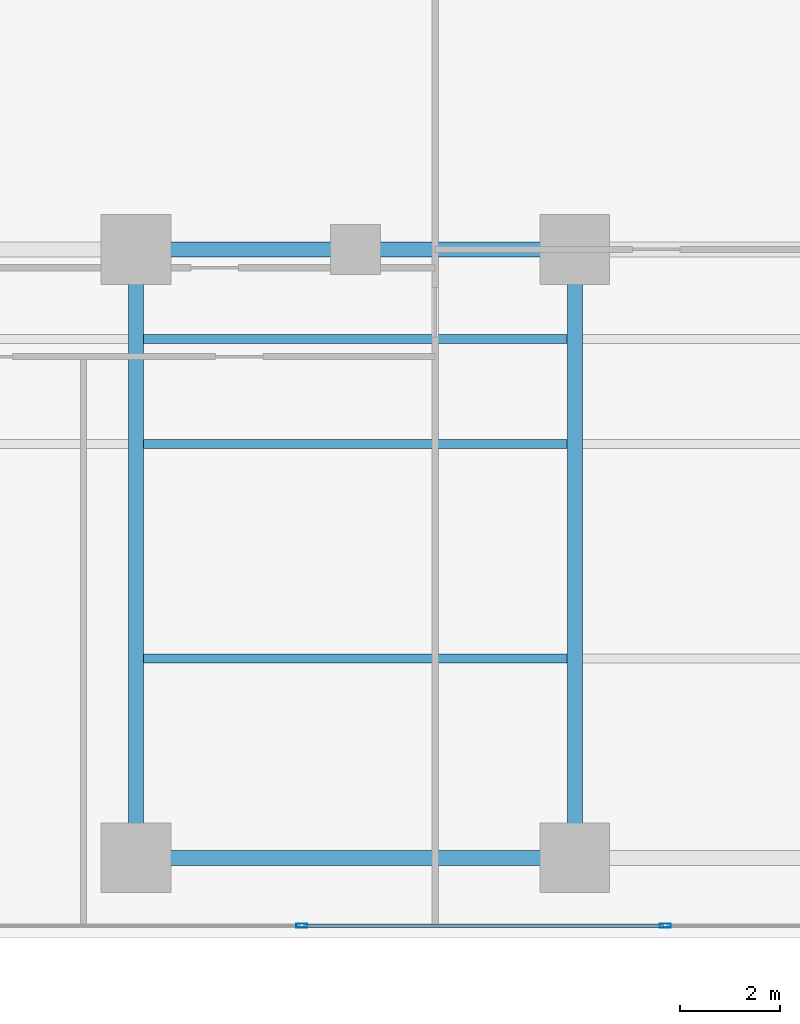
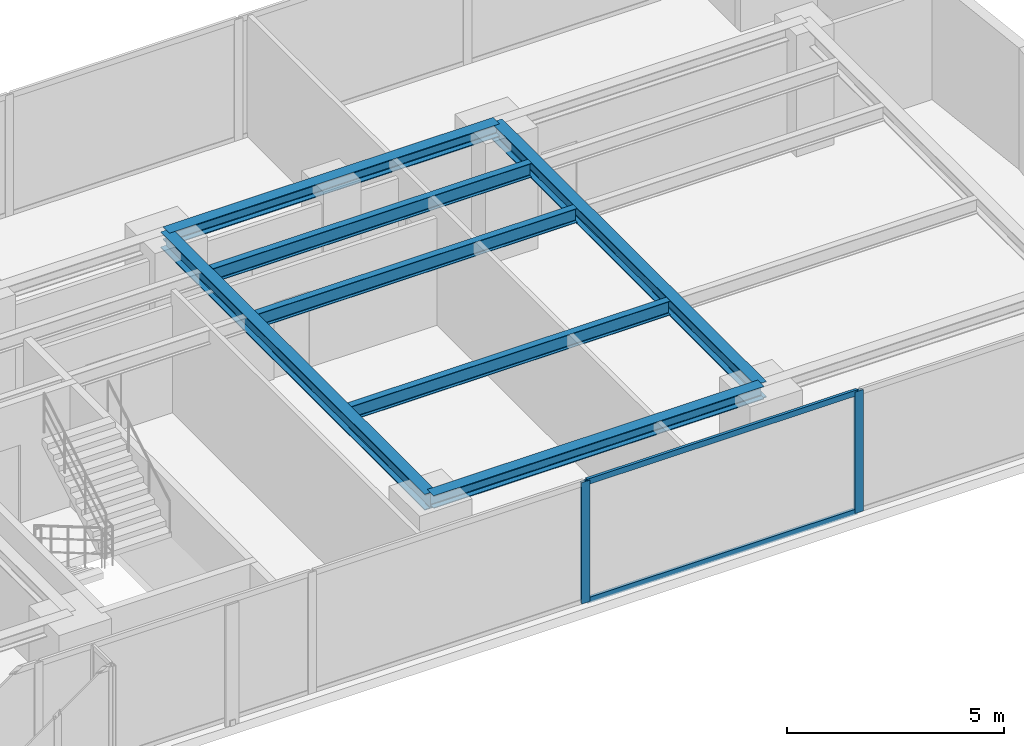
# One storey, part 11 of 25: 7 beams, 4 members, 1 element without a shape of its own.
"""IFC4 building model written with IfcOpenShell, lengths in metres."""

from ifc_helpers import new_model, si_unit, direction, frame, origin, origin_with_axes, origin_2d, place, context, subcontext, project, spatial, hollow_rectangle, i_section, extrude, source, transform, mapped, material, layer, layer_set, material_profile, profile_set, type_object, element, aggregate, save


model = new_model("IFC4")

# Units and contexts
model_context = context("Model", 3, precision=1e-05, world=origin(), true_north=direction((0.0, 1.0)))
body_context = subcontext(model_context, "Body", "Model", "MODEL_VIEW")
ifc_project = project(units=[si_unit("LENGTHUNIT", "METRE"), si_unit("AREAUNIT", "SQUARE_METRE"), si_unit("VOLUMEUNIT", "CUBIC_METRE"), si_unit("PLANEANGLEUNIT", "RADIAN"), si_unit("MASSUNIT", "GRAM", prefix="KILO")], contexts=[model_context])

# Site, building, storey
site_placement = place(None, origin())
site = spatial("IfcSite", under=ifc_project, at=site_placement, CompositionType="ELEMENT")
building_placement = place(site_placement, origin())
building = spatial("IfcBuilding", under=site, at=building_placement, Name="Kolvaren Waterfront Exchange", CompositionType="ELEMENT")
storey_placement = place(building_placement, frame((0.0, 0.0, 137.300048828125)))
storey = spatial("IfcBuildingStorey", under=building, at=storey_placement, Name="L35", CompositionType="ELEMENT", Elevation=137.300048828125)

# Beams
ifc_material_1 = material(Name="Steel S355", Category="steel")
ifc_material_profile_1 = material_profile(ifc_material_1, i_section(OverallWidth=0.300048828125, OverallDepth=0.360107421875, WebThickness=0.012451171875, FlangeThickness=0.0224609375, FilletRadius=0.027099609375, at=origin_2d()), Name="HEB360")
ifc_profile_set_1 = profile_set([ifc_material_profile_1], Name="Steel S355")
beam_type_1 = type_object("IfcBeamType", Name="STR-BM-HEB360", PredefinedType="SPANDREL", material=ifc_profile_set_1)
for number, where, z_axis, x_axis, name in (
    (1, (36.800048828125, 5.199951171875, 3.239990234375), (1.0, 0.0, 0.0), (0.0, 1.0, 0.0), "L35 east-arm spandrel S3"),
    (2, (36.800048828125, 17.39990234375, 3.239990234375), (1.0, 0.0, 0.0), (0.0, 1.0, 0.0), "L35 east-arm spandrel N3"),
):
    element("IfcBeam", number, at=place(storey_placement, frame(where, z_axis=z_axis, x_axis=x_axis)), inside=storey, type_object=beam_type_1, Name=name, PredefinedType="SPANDREL", context=body_context, shape_type="SweptSolid", body=[
        extrude(i_section(OverallWidth=0.300048828125, OverallDepth=0.360107421875, WebThickness=0.012451171875, FlangeThickness=0.0224609375, FilletRadius=0.027099609375, at=origin_2d()), origin(), (0.0, 0.0, 1.0), 8.800048828125),
    ])
ifc_material_profile_2 = material_profile(ifc_material_1, i_section(OverallWidth=0.300048828125, OverallDepth=0.449951171875, WebThickness=0.013916015625, FlangeThickness=0.02587890625, FilletRadius=0.027099609375, at=origin_2d()), Name="HEB450")
ifc_profile_set_2 = profile_set([ifc_material_profile_2], Name="Steel S355")
beam_type_2 = type_object("IfcBeamType", Name="STR-BM-HEB450", PredefinedType="BEAM", material=ifc_profile_set_2)
for number, where, z_axis, x_axis, name in (
    (3, (36.800048828125, 5.199951171875, 3.195068359375), (0.0, 1.0, 0.0), (-1.0, 0.0, 0.0), "L35 east-arm transverse girder X36"),
    (4, (45.60009765625, 5.199951171875, 3.195068359375), (0.0, 1.0, 0.0), (-1.0, 0.0, 0.0), "L35 east-arm transverse girder X45"),
):
    element("IfcBeam", number, at=place(storey_placement, frame(where, z_axis=z_axis, x_axis=x_axis)), inside=storey, type_object=beam_type_2, Name=name, PredefinedType="BEAM", context=body_context, shape_type="SweptSolid", body=[
        extrude(i_section(OverallWidth=0.300048828125, OverallDepth=0.449951171875, WebThickness=0.013916015625, FlangeThickness=0.02587890625, FilletRadius=0.027099609375, at=origin_2d()), origin(), (0.0, 0.0, 1.0), 12.199951171875),
    ])
ifc_material_profile_3 = material_profile(ifc_material_1, i_section(OverallWidth=0.179931640625, OverallDepth=0.39990234375, WebThickness=0.008544921875, FlangeThickness=0.013427734375, FilletRadius=0.02099609375, at=origin_2d()), Name="IPE400")
ifc_profile_set_3 = profile_set([ifc_material_profile_3], Name="Steel S355")
beam_type_3 = type_object("IfcBeamType", Name="STR-BM-IPE400", PredefinedType="JOIST", material=ifc_profile_set_3)
for number, where, z_axis, x_axis, name in (
    (5, (36.951904296875, 13.5, 3.219970703125), (1.0, 0.0, 0.0), (0.0, 1.0, 0.0), "L35 east-arm composite joist 3A"),
    (6, (36.951904296875, 15.60009765625, 3.219970703125), (1.0, 0.0, 0.0), (0.0, 1.0, 0.0), "L35 east-arm composite joist 3C"),
    (7, (36.951904296875, 9.199951171875, 3.219970703125), (1.0, 0.0, 0.0), (0.0, 1.0, 0.0), "L35 east-arm composite joist 3B"),
):
    element("IfcBeam", number, at=place(storey_placement, frame(where, z_axis=z_axis, x_axis=x_axis)), inside=storey, type_object=beam_type_3, Name=name, PredefinedType="JOIST", context=body_context, shape_type="SweptSolid", body=[
        extrude(i_section(OverallWidth=0.179931640625, OverallDepth=0.39990234375, WebThickness=0.008544921875, FlangeThickness=0.013427734375, FilletRadius=0.02099609375, at=origin_2d()), origin(), (0.0, 0.0, 1.0), 8.49609375),
    ])

# Curtain wall, members
ifc_material_2 = material(Name="Anodised bronze aluminium 6063-T6", Category="aluminium")
ifc_layer = layer(ifc_material_2, 0.219970703125, Name="Anodised bronze aluminium 6063-T6")
ifc_layer_set = layer_set([ifc_layer], Name="Anodised bronze aluminium 6063-T6")
curtain_wall_type = type_object("IfcCurtainWallType", Name="ARC-CW-SYS1", PredefinedType="USERDEFINED", material=ifc_layer_set)
curtain_wall_placement = place(storey_placement, origin())
curtain_wall = element("IfcCurtainWall", 8, at=curtain_wall_placement, inside=storey, type_object=curtain_wall_type, Name="L35 stick curtain wall CW1 (CW-L35-S)", ObjectType="STICK CURTAIN WALL", PredefinedType="USERDEFINED")
ifc_material_3 = material(Name="Anodised aluminium 6063-T6", Category="aluminium")
ifc_material_profile_4 = material_profile(ifc_material_3, hollow_rectangle(XDim=0.080078125, YDim=0.219970703125, WallThickness=0.0048828125, at=origin_2d()), Name="ALU-MUL-220x80x5")
ifc_profile_set_4 = profile_set([ifc_material_profile_4], Name="Anodised aluminium 6063-T6")
member_type_1 = type_object("IfcMemberType", Name="ARC-CWM-220", PredefinedType="MULLION", material=ifc_profile_set_4)
shared_shape_1 = source(origin_with_axes(), body_context, "Body", "SweptSolid", [
    extrude(hollow_rectangle(XDim=0.080078125, YDim=0.219970703125, WallThickness=0.0048828125, at=origin_2d()), origin(), (0.0, 0.0, 1.0), 3.419921875),
])
member_1_placement = place(storey_placement, frame((40.128662109375, 3.840087890625, 0.0), z_axis=(0.0, 0.0, 1.0), x_axis=(0.0, 1.0, 0.0)))
member_1 = element("IfcMember", 9, at=member_1_placement, type_object=member_type_1, Name="CW1 mullion 6", PredefinedType="MULLION", context=body_context, shape_type="MappedRepresentation", body=[
    mapped(shared_shape_1, transform((0.0, 0.0, 0.0), x_axis=(1.0, 0.0, 0.0), y_axis=(0.0, 1.0, 0.0), z_axis=(0.0, 0.0, 1.0), scale=1.0)),
])
member_2_placement = place(storey_placement, frame((47.414306640625, 3.840087890625, 0.0), z_axis=(0.0, 0.0, 1.0), x_axis=(0.0, 1.0, 0.0)))
member_2 = element("IfcMember", 10, at=member_2_placement, type_object=member_type_1, Name="CW1 mullion 7", PredefinedType="MULLION", context=body_context, shape_type="MappedRepresentation", body=[
    mapped(shared_shape_1, transform((0.0, 0.0, 0.0), x_axis=(1.0, 0.0, 0.0), y_axis=(0.0, 1.0, 0.0), z_axis=(0.0, 0.0, 1.0), scale=1.0)),
])
ifc_material_profile_5 = material_profile(ifc_material_3, hollow_rectangle(XDim=0.074951171875, YDim=0.159912109375, WallThickness=0.00439453125, at=origin_2d()), Name="ALU-TRN-160x75x4.5")
ifc_profile_set_5 = profile_set([ifc_material_profile_5], Name="Anodised aluminium 6063-T6")
member_type_2 = type_object("IfcMemberType", Name="ARC-CWT-160", PredefinedType="USERDEFINED", material=ifc_profile_set_5)
shared_shape_2 = source(origin_with_axes(), body_context, "Body", "SweptSolid", [
    extrude(hollow_rectangle(XDim=0.074951171875, YDim=0.159912109375, WallThickness=0.00439453125, at=origin_2d()), origin(), (0.0, 0.0, 1.0), 7.205810546875),
])
member_3_placement = place(storey_placement, frame((40.16845703125, 3.840087890625, 0.037353515625), z_axis=(1.0, 0.0, 0.0), x_axis=(0.0, 1.0, 0.0)))
member_3 = element("IfcMember", 11, at=member_3_placement, type_object=member_type_2, Name="CW1 transom 6.1", ObjectType="TRANSOM", PredefinedType="USERDEFINED", context=body_context, shape_type="MappedRepresentation", body=[
    mapped(shared_shape_2, transform((0.0, 0.0, 0.0), x_axis=(1.0, 0.0, 0.0), y_axis=(0.0, 1.0, 0.0), z_axis=(0.0, 0.0, 1.0), scale=1.0)),
])
member_4_placement = place(storey_placement, frame((40.16845703125, 3.840087890625, 3.382568359375), z_axis=(1.0, 0.0, 0.0), x_axis=(0.0, 1.0, 0.0)))
member_4 = element("IfcMember", 12, at=member_4_placement, type_object=member_type_2, Name="CW1 transom 6.2", ObjectType="TRANSOM", PredefinedType="USERDEFINED", context=body_context, shape_type="MappedRepresentation", body=[
    mapped(shared_shape_2, transform((0.0, 0.0, 0.0), x_axis=(1.0, 0.0, 0.0), y_axis=(0.0, 1.0, 0.0), z_axis=(0.0, 0.0, 1.0), scale=1.0)),
])
aggregate(curtain_wall, [member_1, member_2, member_3, member_4])

save(model, "model.ifc")
